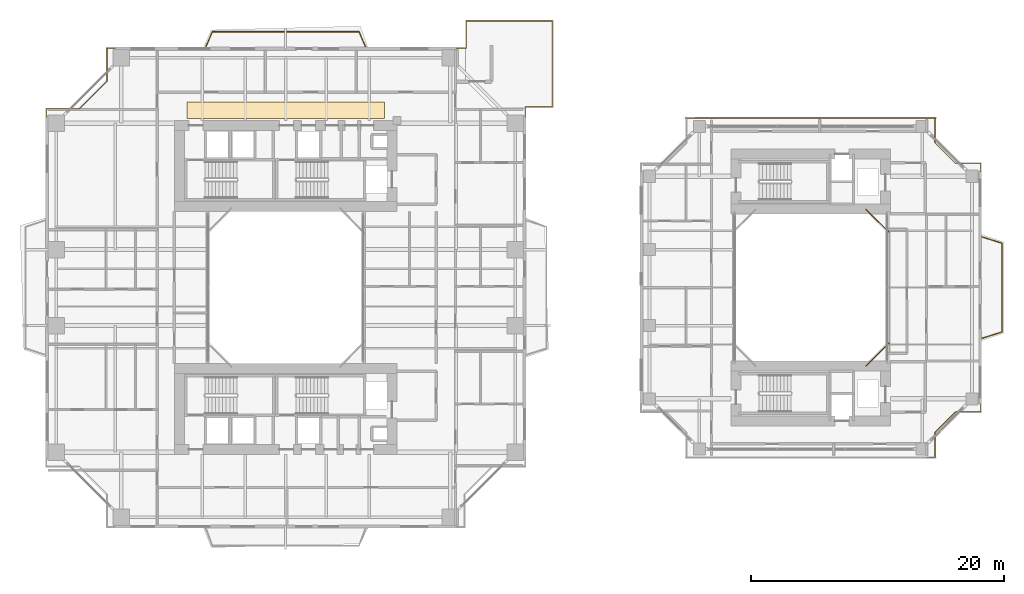
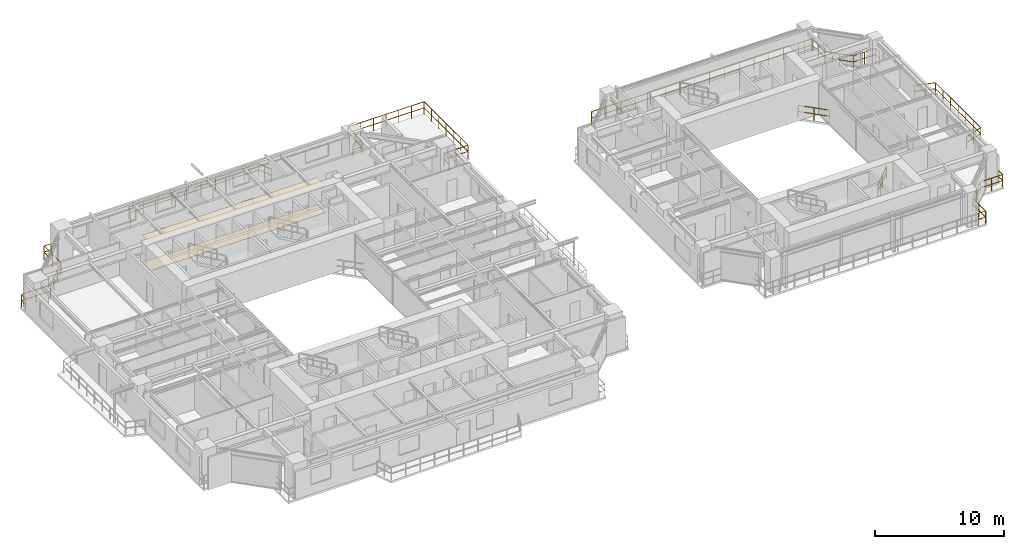
# One storey, part 23 of 23: 9 railings, 2 coverings.
"""IFC4 building model written with IfcOpenShell, lengths in metres."""

from ifc_helpers import new_model, si_unit, direction, frame, origin, origin_2d, place, context, subcontext, project, spatial, polyline, rectangle, outline, extrude, material, layer, layer_set, type_object, element, save


model = new_model("IFC4")

# Units and contexts
model_context = context("Model", 3, precision=1e-05, world=origin(), true_north=direction((0.0, 1.0)))
body_context = subcontext(model_context, "Body", "Model", "MODEL_VIEW")
ifc_project = project(units=[si_unit("LENGTHUNIT", "METRE"), si_unit("AREAUNIT", "SQUARE_METRE"), si_unit("VOLUMEUNIT", "CUBIC_METRE"), si_unit("PLANEANGLEUNIT", "RADIAN"), si_unit("MASSUNIT", "GRAM", prefix="KILO"), si_unit("THERMODYNAMICTEMPERATUREUNIT", "KELVIN"), si_unit("POWERUNIT", "WATT")], contexts=[model_context])

# Site, building, storey
site_placement = place(None, origin())
site = spatial("IfcSite", under=ifc_project, at=site_placement, CompositionType="ELEMENT")
building_placement = place(site_placement, origin())
building = spatial("IfcBuilding", under=site, at=building_placement, Name="Qiaomeng Ring Towers", CompositionType="ELEMENT")
storey_placement = place(building_placement, frame((0.0, 0.0, 32.75)))
storey = spatial("IfcBuildingStorey", under=building, at=storey_placement, Name="L08", CompositionType="ELEMENT", Elevation=32.75)

# Coverings
ifc_material_1 = material(Name="Mineral fibre acoustic ceiling tile", Category="gypsum")
ifc_layer_1 = layer(ifc_material_1, 0.02490234375, Name="Mineral fibre acoustic ceiling tile")
ifc_layer_set_1 = layer_set([ifc_layer_1], Name="Mineral fibre acoustic ceiling tile")
covering_type_1 = type_object("IfcCoveringType", Name="ARC-COV-CEIL1", PredefinedType="CEILING", material=ifc_layer_set_1)
covering_1_placement = place(storey_placement, frame((0.0, 0.0, 2.550048828125)))
element("IfcCovering", 1, at=covering_1_placement, inside=storey, type_object=covering_type_1, Name="L08 Corridor Acoustic Ceiling", PredefinedType="CEILING", context=body_context, shape_type="SweptSolid", body=[
    extrude(outline(polyline([(11.199951171875, 36.35009765625), (11.199951171875, 37.64990234375), (26.800048828125, 37.64990234375), (26.800048828125, 36.35009765625), (11.199951171875, 36.35009765625)])), origin(), (0.0, 0.0, 1.0), 0.02490234375),
])
ifc_material_2 = material(Name="Vitrified porcelain floor tile", Category="ceramic")
ifc_layer_2 = layer(ifc_material_2, 0.02001953125, Name="Vitrified porcelain floor tile")
ifc_layer_set_2 = layer_set([ifc_layer_2], Name="Vitrified porcelain floor tile")
covering_type_2 = type_object("IfcCoveringType", Name="ARC-COV-FLR1", PredefinedType="FLOORING", material=ifc_layer_set_2)
covering_2_placement = place(storey_placement, origin())
element("IfcCovering", 2, at=covering_2_placement, inside=storey, type_object=covering_type_2, Name="L08 Corridor Stone Flooring", PredefinedType="FLOORING", context=body_context, shape_type="SweptSolid", body=[
    extrude(outline(polyline([(11.199951171875, 36.35009765625), (11.199951171875, 37.64990234375), (26.800048828125, 37.64990234375), (26.800048828125, 36.35009765625), (11.199951171875, 36.35009765625)])), origin(), (0.0, 0.0, 1.0), 0.02001953125),
])

# Railings
ifc_material_3 = material(Name="Low-E pale-green laminated safety glass", Category="glass")
railing_type = type_object("IfcRailingType", Name="ARC-RL-BAL1", PredefinedType="BALUSTRADE", material=ifc_material_3)
railing_1_placement = place(storey_placement, frame((37.919921875, 36.47998046875, 0.0)))
element("IfcRailing", 3, at=railing_1_placement, inside=storey, type_object=railing_type, Name="L08 Balustrade ARC-BAL-L08-SPIRAL-NE", PredefinedType="BALUSTRADE", context=body_context, shape_type="SweptSolid", body=[
    extrude(rectangle(XDim=0.048095703125, YDim=0.048095703125, at=origin_2d()), frame((0.0, 0.0, 1.17578125), z_axis=(0.0, 1.0, 0.0), x_axis=(-1.0, 0.0, 0.0)), (0.0, 0.0, 1.0), 0.800048828125),
    extrude(rectangle(XDim=0.048095703125, YDim=0.048095703125, at=origin_2d()), frame((0.0, 0.0, 0.60009765625), z_axis=(0.0, 1.0, 0.0), x_axis=(-1.0, 0.0, 0.0)), (0.0, 0.0, 1.0), 0.800048828125),
    extrude(rectangle(XDim=0.048095703125, YDim=0.048095703125, at=origin_2d()), frame((0.0, 0.800048828125, 1.17578125), z_axis=(1.0, 0.0, 0.0), x_axis=(0.0, 1.0, 0.0)), (0.0, 0.0, 1.0), 2.150146484375),
    extrude(rectangle(XDim=0.048095703125, YDim=0.048095703125, at=origin_2d()), frame((0.0, 0.800048828125, 0.60009765625), z_axis=(1.0, 0.0, 0.0), x_axis=(0.0, 1.0, 0.0)), (0.0, 0.0, 1.0), 2.150146484375),
    extrude(rectangle(XDim=0.048095703125, YDim=0.048095703125, at=origin_2d()), frame((2.150146484375, 0.800048828125, 1.17578125), z_axis=(0.0, 1.0, 0.0), x_axis=(-1.0, 0.0, 0.0)), (0.0, 0.0, 1.0), 6.7900390625),
    extrude(rectangle(XDim=0.048095703125, YDim=0.048095703125, at=origin_2d()), frame((2.150146484375, 0.800048828125, 0.60009765625), z_axis=(0.0, 1.0, 0.0), x_axis=(-1.0, 0.0, 0.0)), (0.0, 0.0, 1.0), 6.7900390625),
    extrude(rectangle(XDim=0.048095703125, YDim=0.048095703125, at=origin_2d()), frame((2.150146484375, 7.590087890625, 1.17578125), z_axis=(-1.0, 0.0, 0.0), x_axis=(0.0, -1.0, 0.0)), (0.0, 0.0, 1.0), 6.7900390625),
    extrude(rectangle(XDim=0.048095703125, YDim=0.048095703125, at=origin_2d()), frame((2.150146484375, 7.590087890625, 0.60009765625), z_axis=(-1.0, 0.0, 0.0), x_axis=(0.0, -1.0, 0.0)), (0.0, 0.0, 1.0), 6.7900390625),
    extrude(rectangle(XDim=0.048095703125, YDim=0.048095703125, at=origin_2d()), frame((-4.639892578125, 7.590087890625, 1.17578125), z_axis=(0.0, -1.0, 0.0), x_axis=(1.0, 0.0, 0.0)), (0.0, 0.0, 1.0), 2.150146484375),
    extrude(rectangle(XDim=0.048095703125, YDim=0.048095703125, at=origin_2d()), frame((-4.639892578125, 7.590087890625, 0.60009765625), z_axis=(0.0, -1.0, 0.0), x_axis=(1.0, 0.0, 0.0)), (0.0, 0.0, 1.0), 2.150146484375),
    extrude(rectangle(XDim=0.048095703125, YDim=0.048095703125, at=origin_2d()), frame((-4.639892578125, 5.43994140625, 1.17578125), z_axis=(-1.0, 0.0, 0.0), x_axis=(0.0, -1.0, 0.0)), (0.0, 0.0, 1.0), 0.800048828125),
    extrude(rectangle(XDim=0.048095703125, YDim=0.048095703125, at=origin_2d()), frame((-4.639892578125, 5.43994140625, 0.60009765625), z_axis=(-1.0, 0.0, 0.0), x_axis=(0.0, -1.0, 0.0)), (0.0, 0.0, 1.0), 0.800048828125),
    extrude(rectangle(XDim=0.0419921875, YDim=0.0419921875, at=origin_2d()), origin(), (0.0, 0.0, 1.0), 1.15185546875),
    extrude(rectangle(XDim=0.0419921875, YDim=0.0419921875, at=origin_2d()), frame((0.0, 0.800048828125, 0.0)), (0.0, 0.0, 1.0), 1.15185546875),
    extrude(rectangle(XDim=0.0419921875, YDim=0.0419921875, at=origin_2d()), frame((1.0751953125, 0.800048828125, 0.0)), (0.0, 0.0, 1.0), 1.15185546875),
    extrude(rectangle(XDim=0.0419921875, YDim=0.0419921875, at=origin_2d()), frame((2.150146484375, 0.800048828125, 0.0)), (0.0, 0.0, 1.0), 1.15185546875),
    extrude(rectangle(XDim=0.0419921875, YDim=0.0419921875, at=origin_2d()), frame((2.150146484375, 1.931640625, 0.0)), (0.0, 0.0, 1.0), 1.15185546875),
    extrude(rectangle(XDim=0.0419921875, YDim=0.0419921875, at=origin_2d()), frame((2.150146484375, 3.0634765625, 0.0)), (0.0, 0.0, 1.0), 1.15185546875),
    extrude(rectangle(XDim=0.0419921875, YDim=0.0419921875, at=origin_2d()), frame((2.150146484375, 4.195068359375, 0.0)), (0.0, 0.0, 1.0), 1.15185546875),
    extrude(rectangle(XDim=0.0419921875, YDim=0.0419921875, at=origin_2d()), frame((2.150146484375, 5.32666015625, 0.0)), (0.0, 0.0, 1.0), 1.15185546875),
    extrude(rectangle(XDim=0.0419921875, YDim=0.0419921875, at=origin_2d()), frame((2.150146484375, 6.45849609375, 0.0)), (0.0, 0.0, 1.0), 1.15185546875),
    extrude(rectangle(XDim=0.0419921875, YDim=0.0419921875, at=origin_2d()), frame((2.150146484375, 7.590087890625, 0.0)), (0.0, 0.0, 1.0), 1.15185546875),
    extrude(rectangle(XDim=0.0419921875, YDim=0.0419921875, at=origin_2d()), frame((1.0185546875, 7.590087890625, 0.0)), (0.0, 0.0, 1.0), 1.15185546875),
    extrude(rectangle(XDim=0.0419921875, YDim=0.0419921875, at=origin_2d()), frame((-0.11328125, 7.590087890625, 0.0)), (0.0, 0.0, 1.0), 1.15185546875),
    extrude(rectangle(XDim=0.0419921875, YDim=0.0419921875, at=origin_2d()), frame((-1.244873046875, 7.590087890625, 0.0)), (0.0, 0.0, 1.0), 1.15185546875),
    extrude(rectangle(XDim=0.0419921875, YDim=0.0419921875, at=origin_2d()), frame((-2.37646484375, 7.590087890625, 0.0)), (0.0, 0.0, 1.0), 1.15185546875),
    extrude(rectangle(XDim=0.0419921875, YDim=0.0419921875, at=origin_2d()), frame((-3.50830078125, 7.590087890625, 0.0)), (0.0, 0.0, 1.0), 1.15185546875),
    extrude(rectangle(XDim=0.0419921875, YDim=0.0419921875, at=origin_2d()), frame((-4.639892578125, 7.590087890625, 0.0)), (0.0, 0.0, 1.0), 1.15185546875),
    extrude(rectangle(XDim=0.0419921875, YDim=0.0419921875, at=origin_2d()), frame((-4.639892578125, 6.51513671875, 0.0)), (0.0, 0.0, 1.0), 1.15185546875),
    extrude(rectangle(XDim=0.0419921875, YDim=0.0419921875, at=origin_2d()), frame((-4.639892578125, 5.43994140625, 0.0)), (0.0, 0.0, 1.0), 1.15185546875),
    extrude(rectangle(XDim=0.0419921875, YDim=0.0419921875, at=origin_2d()), frame((-5.43994140625, 5.43994140625, 0.0)), (0.0, 0.0, 1.0), 1.15185546875),
])
railing_2_placement = place(storey_placement, frame((5.530029296875, 41.919921875, 0.0)))
element("IfcRailing", 4, at=railing_2_placement, inside=storey, type_object=railing_type, Name="L08 Balustrade ARC-BAL-NOTCH1-L08-NW", PredefinedType="BALUSTRADE", context=body_context, shape_type="SweptSolid", body=[
    extrude(rectangle(XDim=0.048095703125, YDim=0.048095703125, at=origin_2d()), frame((0.0, 0.0, 1.17578125), z_axis=(-1.0, 0.0, 0.0), x_axis=(0.0, -1.0, 0.0)), (0.0, 0.0, 1.0), 0.650146484375),
    extrude(rectangle(XDim=0.048095703125, YDim=0.048095703125, at=origin_2d()), frame((0.0, 0.0, 0.60009765625), z_axis=(-1.0, 0.0, 0.0), x_axis=(0.0, -1.0, 0.0)), (0.0, 0.0, 1.0), 0.650146484375),
    extrude(rectangle(XDim=0.048095703125, YDim=0.048095703125, at=origin_2d()), frame((-0.650146484375, 0.0, 1.17578125), z_axis=(0.0, -1.0, 0.0), x_axis=(1.0, 0.0, 0.0)), (0.0, 0.0, 1.0), 2.599853515625),
    extrude(rectangle(XDim=0.048095703125, YDim=0.048095703125, at=origin_2d()), frame((-0.650146484375, 0.0, 0.60009765625), z_axis=(0.0, -1.0, 0.0), x_axis=(1.0, 0.0, 0.0)), (0.0, 0.0, 1.0), 2.599853515625),
    extrude(rectangle(XDim=0.048095703125, YDim=0.048095703125, at=origin_2d()), frame((-0.650146484375, -2.599853515625, 1.17578125), z_axis=(-0.707106781187, -0.707106781187, 0.0), x_axis=(0.707106781187, -0.707106781187, 0.0)), (0.0, 0.0, 1.0), 3.111083984375),
    extrude(rectangle(XDim=0.048095703125, YDim=0.048095703125, at=origin_2d()), frame((-0.650146484375, -2.599853515625, 0.60009765625), z_axis=(-0.707106781187, -0.707106781187, 0.0), x_axis=(0.707106781187, -0.707106781187, 0.0)), (0.0, 0.0, 1.0), 3.111083984375),
    extrude(rectangle(XDim=0.048095703125, YDim=0.048095703125, at=origin_2d()), frame((-2.85009765625, -4.7998046875, 1.17578125), z_axis=(-1.0, 0.0, 0.0), x_axis=(0.0, -1.0, 0.0)), (0.0, 0.0, 1.0), 2.599853515625),
    extrude(rectangle(XDim=0.048095703125, YDim=0.048095703125, at=origin_2d()), frame((-2.85009765625, -4.7998046875, 0.60009765625), z_axis=(-1.0, 0.0, 0.0), x_axis=(0.0, -1.0, 0.0)), (0.0, 0.0, 1.0), 2.599853515625),
    extrude(rectangle(XDim=0.048095703125, YDim=0.048095703125, at=origin_2d()), frame((-5.449951171875, -4.7998046875, 1.17578125), z_axis=(0.0, -1.0, 0.0), x_axis=(1.0, 0.0, 0.0)), (0.0, 0.0, 1.0), 0.650146484375),
    extrude(rectangle(XDim=0.048095703125, YDim=0.048095703125, at=origin_2d()), frame((-5.449951171875, -4.7998046875, 0.60009765625), z_axis=(0.0, -1.0, 0.0), x_axis=(1.0, 0.0, 0.0)), (0.0, 0.0, 1.0), 0.650146484375),
    extrude(rectangle(XDim=0.0419921875, YDim=0.0419921875, at=origin_2d()), origin(), (0.0, 0.0, 1.0), 1.15185546875),
    extrude(rectangle(XDim=0.0419921875, YDim=0.0419921875, at=origin_2d()), frame((-0.650146484375, 0.0, 0.0)), (0.0, 0.0, 1.0), 1.15185546875),
    extrude(rectangle(XDim=0.0419921875, YDim=0.0419921875, at=origin_2d()), frame((-0.650146484375, -1.2998046875, 0.0)), (0.0, 0.0, 1.0), 1.15185546875),
    extrude(rectangle(XDim=0.0419921875, YDim=0.0419921875, at=origin_2d()), frame((-0.650146484375, -2.599853515625, 0.0)), (0.0, 0.0, 1.0), 1.15185546875),
    extrude(rectangle(XDim=0.0419921875, YDim=0.0419921875, at=origin_2d()), frame((-1.383544921875, -3.333251953125, 0.0)), (0.0, 0.0, 1.0), 1.15185546875),
    extrude(rectangle(XDim=0.0419921875, YDim=0.0419921875, at=origin_2d()), frame((-2.11669921875, -4.06640625, 0.0)), (0.0, 0.0, 1.0), 1.15185546875),
    extrude(rectangle(XDim=0.0419921875, YDim=0.0419921875, at=origin_2d()), frame((-2.85009765625, -4.7998046875, 0.0)), (0.0, 0.0, 1.0), 1.15185546875),
    extrude(rectangle(XDim=0.0419921875, YDim=0.0419921875, at=origin_2d()), frame((-4.14990234375, -4.7998046875, 0.0)), (0.0, 0.0, 1.0), 1.15185546875),
    extrude(rectangle(XDim=0.0419921875, YDim=0.0419921875, at=origin_2d()), frame((-5.449951171875, -4.7998046875, 0.0)), (0.0, 0.0, 1.0), 1.15185546875),
    extrude(rectangle(XDim=0.0419921875, YDim=0.0419921875, at=origin_2d()), frame((-5.449951171875, -5.449951171875, 0.0)), (0.0, 0.0, 1.0), 1.15185546875),
])
railing_3_placement = place(storey_placement, frame((12.699951171875, 42.050048828125, 0.0)))
element("IfcRailing", 5, at=railing_3_placement, inside=storey, type_object=railing_type, Name="L08 Balustrade ARC-BAL-L08-T1-N", PredefinedType="BALUSTRADE", context=body_context, shape_type="SweptSolid", body=[
    extrude(rectangle(XDim=0.048095703125, YDim=0.048095703125, at=origin_2d()), frame((0.0, 0.0, 1.17578125), z_axis=(0.39299272826, 0.919541579014, 0.0), x_axis=(-0.919541579014, 0.39299272826, 0.0)), (0.0, 0.0, 1.0), 1.272216796875),
    extrude(rectangle(XDim=0.048095703125, YDim=0.048095703125, at=origin_2d()), frame((0.0, 0.0, 0.60009765625), z_axis=(0.39299272826, 0.919541579014, 0.0), x_axis=(-0.919541579014, 0.39299272826, 0.0)), (0.0, 0.0, 1.0), 1.272216796875),
    extrude(rectangle(XDim=0.048095703125, YDim=0.048095703125, at=origin_2d()), frame((0.5, 1.169921875, 1.17578125), z_axis=(1.0, 0.0, 0.0), x_axis=(0.0, 1.0, 0.0)), (0.0, 0.0, 1.0), 11.60009765625),
    extrude(rectangle(XDim=0.048095703125, YDim=0.048095703125, at=origin_2d()), frame((0.5, 1.169921875, 0.60009765625), z_axis=(1.0, 0.0, 0.0), x_axis=(0.0, 1.0, 0.0)), (0.0, 0.0, 1.0), 11.60009765625),
    extrude(rectangle(XDim=0.048095703125, YDim=0.048095703125, at=origin_2d()), frame((12.10009765625, 1.169921875, 1.17578125), z_axis=(0.39299272826, -0.919541579014, 0.0), x_axis=(0.919541579014, 0.39299272826, 0.0)), (0.0, 0.0, 1.0), 1.272216796875),
    extrude(rectangle(XDim=0.048095703125, YDim=0.048095703125, at=origin_2d()), frame((12.10009765625, 1.169921875, 0.60009765625), z_axis=(0.39299272826, -0.919541579014, 0.0), x_axis=(0.919541579014, 0.39299272826, 0.0)), (0.0, 0.0, 1.0), 1.272216796875),
    extrude(rectangle(XDim=0.0419921875, YDim=0.0419921875, at=origin_2d()), origin(), (0.0, 0.0, 1.0), 1.15185546875),
    extrude(rectangle(XDim=0.0419921875, YDim=0.0419921875, at=origin_2d()), frame((0.5, 1.169921875, 0.0)), (0.0, 0.0, 1.0), 1.15185546875),
    extrude(rectangle(XDim=0.0419921875, YDim=0.0419921875, at=origin_2d()), frame((1.788818359375, 1.169921875, 0.0)), (0.0, 0.0, 1.0), 1.15185546875),
    extrude(rectangle(XDim=0.0419921875, YDim=0.0419921875, at=origin_2d()), frame((3.077880859375, 1.169921875, 0.0)), (0.0, 0.0, 1.0), 1.15185546875),
    extrude(rectangle(XDim=0.0419921875, YDim=0.0419921875, at=origin_2d()), frame((4.36669921875, 1.169921875, 0.0)), (0.0, 0.0, 1.0), 1.15185546875),
    extrude(rectangle(XDim=0.0419921875, YDim=0.0419921875, at=origin_2d()), frame((5.655517578125, 1.169921875, 0.0)), (0.0, 0.0, 1.0), 1.15185546875),
    extrude(rectangle(XDim=0.0419921875, YDim=0.0419921875, at=origin_2d()), frame((6.944580078125, 1.169921875, 0.0)), (0.0, 0.0, 1.0), 1.15185546875),
    extrude(rectangle(XDim=0.0419921875, YDim=0.0419921875, at=origin_2d()), frame((8.2333984375, 1.169921875, 0.0)), (0.0, 0.0, 1.0), 1.15185546875),
    extrude(rectangle(XDim=0.0419921875, YDim=0.0419921875, at=origin_2d()), frame((9.522216796875, 1.169921875, 0.0)), (0.0, 0.0, 1.0), 1.15185546875),
    extrude(rectangle(XDim=0.0419921875, YDim=0.0419921875, at=origin_2d()), frame((10.811279296875, 1.169921875, 0.0)), (0.0, 0.0, 1.0), 1.15185546875),
    extrude(rectangle(XDim=0.0419921875, YDim=0.0419921875, at=origin_2d()), frame((12.10009765625, 1.169921875, 0.0)), (0.0, 0.0, 1.0), 1.15185546875),
    extrude(rectangle(XDim=0.0419921875, YDim=0.0419921875, at=origin_2d()), frame((12.60009765625, 0.0, 0.0)), (0.0, 0.0, 1.0), 1.15185546875),
])
railing_4_placement = place(storey_placement, frame((64.8798828125, 16.820068359375, 0.0)))
element("IfcRailing", 6, at=railing_4_placement, inside=storey, type_object=railing_type, Name="L08 Balustrade ARC-BAL-WELL2-L08-1", PredefinedType="BALUSTRADE", context=body_context, shape_type="SweptSolid", body=[
    extrude(rectangle(XDim=0.048095703125, YDim=0.048095703125, at=origin_2d()), frame((0.0, 0.0, 1.17578125), z_axis=(0.707106781187, 0.707106781187, 0.0), x_axis=(-0.707106781187, 0.707106781187, 0.0)), (0.0, 0.0, 1.0), 2.545654296875),
    extrude(rectangle(XDim=0.048095703125, YDim=0.048095703125, at=origin_2d()), frame((0.0, 0.0, 0.60009765625), z_axis=(0.707106781187, 0.707106781187, 0.0), x_axis=(-0.707106781187, 0.707106781187, 0.0)), (0.0, 0.0, 1.0), 2.545654296875),
    extrude(rectangle(XDim=0.0419921875, YDim=0.0419921875, at=origin_2d()), origin(), (0.0, 0.0, 1.0), 1.15185546875),
    extrude(rectangle(XDim=0.0419921875, YDim=0.0419921875, at=origin_2d()), frame((0.89990234375, 0.89990234375, 0.0)), (0.0, 0.0, 1.0), 1.15185546875),
    extrude(rectangle(XDim=0.0419921875, YDim=0.0419921875, at=origin_2d()), frame((1.800048828125, 1.800048828125, 0.0)), (0.0, 0.0, 1.0), 1.15185546875),
])
railing_5_placement = place(storey_placement, frame((66.679931640625, 27.3798828125, 0.0)))
element("IfcRailing", 7, at=railing_5_placement, inside=storey, type_object=railing_type, Name="L08 Balustrade ARC-BAL-WELL2-L08-2", PredefinedType="BALUSTRADE", context=body_context, shape_type="SweptSolid", body=[
    extrude(rectangle(XDim=0.048095703125, YDim=0.048095703125, at=origin_2d()), frame((0.0, 0.0, 1.17578125), z_axis=(-0.707106781187, 0.707106781187, 0.0), x_axis=(-0.707106781187, -0.707106781187, 0.0)), (0.0, 0.0, 1.0), 2.545654296875),
    extrude(rectangle(XDim=0.048095703125, YDim=0.048095703125, at=origin_2d()), frame((0.0, 0.0, 0.60009765625), z_axis=(-0.707106781187, 0.707106781187, 0.0), x_axis=(-0.707106781187, -0.707106781187, 0.0)), (0.0, 0.0, 1.0), 2.545654296875),
    extrude(rectangle(XDim=0.0419921875, YDim=0.0419921875, at=origin_2d()), origin(), (0.0, 0.0, 1.0), 1.15185546875),
    extrude(rectangle(XDim=0.0419921875, YDim=0.0419921875, at=origin_2d()), frame((-0.89990234375, 0.89990234375, 0.0)), (0.0, 0.0, 1.0), 1.15185546875),
    extrude(rectangle(XDim=0.0419921875, YDim=0.0419921875, at=origin_2d()), frame((-1.800048828125, 1.800048828125, 0.0)), (0.0, 0.0, 1.0), 1.15185546875),
])
railing_6_placement = place(storey_placement, frame((69.669921875, 9.580078125, 0.0)))
element("IfcRailing", 8, at=railing_6_placement, inside=storey, type_object=railing_type, Name="L08 Balustrade ARC-BAL-NOTCH2-L08-SE", PredefinedType="BALUSTRADE", context=body_context, shape_type="SweptSolid", body=[
    extrude(rectangle(XDim=0.048095703125, YDim=0.048095703125, at=origin_2d()), frame((0.0, 0.0, 1.17578125), z_axis=(1.0, 0.0, 0.0), x_axis=(0.0, 1.0, 0.0)), (0.0, 0.0, 1.0), 0.650146484375),
    extrude(rectangle(XDim=0.048095703125, YDim=0.048095703125, at=origin_2d()), frame((0.0, 0.0, 0.60009765625), z_axis=(1.0, 0.0, 0.0), x_axis=(0.0, 1.0, 0.0)), (0.0, 0.0, 1.0), 0.650146484375),
    extrude(rectangle(XDim=0.048095703125, YDim=0.048095703125, at=origin_2d()), frame((0.650146484375, 0.0, 1.17578125), z_axis=(0.0, 1.0, 0.0), x_axis=(-1.0, 0.0, 0.0)), (0.0, 0.0, 1.0), 2.0),
    extrude(rectangle(XDim=0.048095703125, YDim=0.048095703125, at=origin_2d()), frame((0.650146484375, 0.0, 0.60009765625), z_axis=(0.0, 1.0, 0.0), x_axis=(-1.0, 0.0, 0.0)), (0.0, 0.0, 1.0), 2.0),
    extrude(rectangle(XDim=0.048095703125, YDim=0.048095703125, at=origin_2d()), frame((0.650146484375, 2.0, 1.17578125), z_axis=(0.707106781187, 0.707106781187, 0.0), x_axis=(-0.707106781187, 0.707106781187, 0.0)), (0.0, 0.0, 1.0), 2.262451171875),
    extrude(rectangle(XDim=0.048095703125, YDim=0.048095703125, at=origin_2d()), frame((0.650146484375, 2.0, 0.60009765625), z_axis=(0.707106781187, 0.707106781187, 0.0), x_axis=(-0.707106781187, 0.707106781187, 0.0)), (0.0, 0.0, 1.0), 2.262451171875),
    extrude(rectangle(XDim=0.048095703125, YDim=0.048095703125, at=origin_2d()), frame((2.25, 3.599853515625, 1.17578125), z_axis=(1.0, 0.0, 0.0), x_axis=(0.0, 1.0, 0.0)), (0.0, 0.0, 1.0), 2.0),
    extrude(rectangle(XDim=0.048095703125, YDim=0.048095703125, at=origin_2d()), frame((2.25, 3.599853515625, 0.60009765625), z_axis=(1.0, 0.0, 0.0), x_axis=(0.0, 1.0, 0.0)), (0.0, 0.0, 1.0), 2.0),
    extrude(rectangle(XDim=0.048095703125, YDim=0.048095703125, at=origin_2d()), frame((4.25, 3.599853515625, 1.17578125), z_axis=(0.0, 1.0, 0.0), x_axis=(-1.0, 0.0, 0.0)), (0.0, 0.0, 1.0), 0.650146484375),
    extrude(rectangle(XDim=0.048095703125, YDim=0.048095703125, at=origin_2d()), frame((4.25, 3.599853515625, 0.60009765625), z_axis=(0.0, 1.0, 0.0), x_axis=(-1.0, 0.0, 0.0)), (0.0, 0.0, 1.0), 0.650146484375),
    extrude(rectangle(XDim=0.0419921875, YDim=0.0419921875, at=origin_2d()), origin(), (0.0, 0.0, 1.0), 1.15185546875),
    extrude(rectangle(XDim=0.0419921875, YDim=0.0419921875, at=origin_2d()), frame((0.650146484375, 0.0, 0.0)), (0.0, 0.0, 1.0), 1.15185546875),
    extrude(rectangle(XDim=0.0419921875, YDim=0.0419921875, at=origin_2d()), frame((0.650146484375, 1.0, 0.0)), (0.0, 0.0, 1.0), 1.15185546875),
    extrude(rectangle(XDim=0.0419921875, YDim=0.0419921875, at=origin_2d()), frame((0.650146484375, 2.0, 0.0)), (0.0, 0.0, 1.0), 1.15185546875),
    extrude(rectangle(XDim=0.0419921875, YDim=0.0419921875, at=origin_2d()), frame((1.4501953125, 2.7998046875, 0.0)), (0.0, 0.0, 1.0), 1.15185546875),
    extrude(rectangle(XDim=0.0419921875, YDim=0.0419921875, at=origin_2d()), frame((2.25, 3.599853515625, 0.0)), (0.0, 0.0, 1.0), 1.15185546875),
    extrude(rectangle(XDim=0.0419921875, YDim=0.0419921875, at=origin_2d()), frame((3.25, 3.599853515625, 0.0)), (0.0, 0.0, 1.0), 1.15185546875),
    extrude(rectangle(XDim=0.0419921875, YDim=0.0419921875, at=origin_2d()), frame((4.25, 3.599853515625, 0.0)), (0.0, 0.0, 1.0), 1.15185546875),
    extrude(rectangle(XDim=0.0419921875, YDim=0.0419921875, at=origin_2d()), frame((4.25, 4.25, 0.0)), (0.0, 0.0, 1.0), 1.15185546875),
])
railing_7_placement = place(storey_placement, frame((73.919921875, 32.169921875, 0.0)))
element("IfcRailing", 9, at=railing_7_placement, inside=storey, type_object=railing_type, Name="L08 Balustrade ARC-BAL-NOTCH2-L08-NE", PredefinedType="BALUSTRADE", context=body_context, shape_type="SweptSolid", body=[
    extrude(rectangle(XDim=0.048095703125, YDim=0.048095703125, at=origin_2d()), frame((0.0, 0.0, 1.17578125), z_axis=(0.0, 1.0, 0.0), x_axis=(-1.0, 0.0, 0.0)), (0.0, 0.0, 1.0), 0.650146484375),
    extrude(rectangle(XDim=0.048095703125, YDim=0.048095703125, at=origin_2d()), frame((0.0, 0.0, 0.60009765625), z_axis=(0.0, 1.0, 0.0), x_axis=(-1.0, 0.0, 0.0)), (0.0, 0.0, 1.0), 0.650146484375),
    extrude(rectangle(XDim=0.048095703125, YDim=0.048095703125, at=origin_2d()), frame((0.0, 0.650146484375, 1.17578125), z_axis=(-1.0, 0.0, 0.0), x_axis=(0.0, -1.0, 0.0)), (0.0, 0.0, 1.0), 2.0),
    extrude(rectangle(XDim=0.048095703125, YDim=0.048095703125, at=origin_2d()), frame((0.0, 0.650146484375, 0.60009765625), z_axis=(-1.0, 0.0, 0.0), x_axis=(0.0, -1.0, 0.0)), (0.0, 0.0, 1.0), 2.0),
    extrude(rectangle(XDim=0.048095703125, YDim=0.048095703125, at=origin_2d()), frame((-2.0, 0.650146484375, 1.17578125), z_axis=(-0.707106781187, 0.707106781187, 0.0), x_axis=(-0.707106781187, -0.707106781187, 0.0)), (0.0, 0.0, 1.0), 2.262451171875),
    extrude(rectangle(XDim=0.048095703125, YDim=0.048095703125, at=origin_2d()), frame((-2.0, 0.650146484375, 0.60009765625), z_axis=(-0.707106781187, 0.707106781187, 0.0), x_axis=(-0.707106781187, -0.707106781187, 0.0)), (0.0, 0.0, 1.0), 2.262451171875),
    extrude(rectangle(XDim=0.048095703125, YDim=0.048095703125, at=origin_2d()), frame((-3.599853515625, 2.25, 1.17578125), z_axis=(0.0, 1.0, 0.0), x_axis=(-1.0, 0.0, 0.0)), (0.0, 0.0, 1.0), 2.0),
    extrude(rectangle(XDim=0.048095703125, YDim=0.048095703125, at=origin_2d()), frame((-3.599853515625, 2.25, 0.60009765625), z_axis=(0.0, 1.0, 0.0), x_axis=(-1.0, 0.0, 0.0)), (0.0, 0.0, 1.0), 2.0),
    extrude(rectangle(XDim=0.048095703125, YDim=0.048095703125, at=origin_2d()), frame((-3.599853515625, 4.25, 1.17578125), z_axis=(-1.0, 0.0, 0.0), x_axis=(0.0, -1.0, 0.0)), (0.0, 0.0, 1.0), 0.650146484375),
    extrude(rectangle(XDim=0.048095703125, YDim=0.048095703125, at=origin_2d()), frame((-3.599853515625, 4.25, 0.60009765625), z_axis=(-1.0, 0.0, 0.0), x_axis=(0.0, -1.0, 0.0)), (0.0, 0.0, 1.0), 0.650146484375),
    extrude(rectangle(XDim=0.0419921875, YDim=0.0419921875, at=origin_2d()), origin(), (0.0, 0.0, 1.0), 1.15185546875),
    extrude(rectangle(XDim=0.0419921875, YDim=0.0419921875, at=origin_2d()), frame((0.0, 0.650146484375, 0.0)), (0.0, 0.0, 1.0), 1.15185546875),
    extrude(rectangle(XDim=0.0419921875, YDim=0.0419921875, at=origin_2d()), frame((-1.0, 0.650146484375, 0.0)), (0.0, 0.0, 1.0), 1.15185546875),
    extrude(rectangle(XDim=0.0419921875, YDim=0.0419921875, at=origin_2d()), frame((-2.0, 0.650146484375, 0.0)), (0.0, 0.0, 1.0), 1.15185546875),
    extrude(rectangle(XDim=0.0419921875, YDim=0.0419921875, at=origin_2d()), frame((-2.7998046875, 1.4501953125, 0.0)), (0.0, 0.0, 1.0), 1.15185546875),
    extrude(rectangle(XDim=0.0419921875, YDim=0.0419921875, at=origin_2d()), frame((-3.599853515625, 2.25, 0.0)), (0.0, 0.0, 1.0), 1.15185546875),
    extrude(rectangle(XDim=0.0419921875, YDim=0.0419921875, at=origin_2d()), frame((-3.599853515625, 3.25, 0.0)), (0.0, 0.0, 1.0), 1.15185546875),
    extrude(rectangle(XDim=0.0419921875, YDim=0.0419921875, at=origin_2d()), frame((-3.599853515625, 4.25, 0.0)), (0.0, 0.0, 1.0), 1.15185546875),
    extrude(rectangle(XDim=0.0419921875, YDim=0.0419921875, at=origin_2d()), frame((-4.25, 4.25, 0.0)), (0.0, 0.0, 1.0), 1.15185546875),
])
railing_8_placement = place(storey_placement, frame((50.60009765625, 36.419921875, 0.0)))
element("IfcRailing", 10, at=railing_8_placement, inside=storey, type_object=railing_type, Name="L08 Balustrade ARC-BAL-T2N-L08", PredefinedType="BALUSTRADE", context=body_context, shape_type="SweptSolid", body=[
    extrude(rectangle(XDim=0.048095703125, YDim=0.048095703125, at=origin_2d()), frame((0.0, 0.0, 1.17578125), z_axis=(1.0, 0.0, 0.0), x_axis=(0.0, 1.0, 0.0)), (0.0, 0.0, 1.0), 19.7998046875),
    extrude(rectangle(XDim=0.048095703125, YDim=0.048095703125, at=origin_2d()), frame((0.0, 0.0, 0.60009765625), z_axis=(1.0, 0.0, 0.0), x_axis=(0.0, 1.0, 0.0)), (0.0, 0.0, 1.0), 19.7998046875),
    extrude(rectangle(XDim=0.0419921875, YDim=0.0419921875, at=origin_2d()), origin(), (0.0, 0.0, 1.0), 1.15185546875),
    extrude(rectangle(XDim=0.0419921875, YDim=0.0419921875, at=origin_2d()), frame((1.320068359375, 0.0, 0.0)), (0.0, 0.0, 1.0), 1.15185546875),
    extrude(rectangle(XDim=0.0419921875, YDim=0.0419921875, at=origin_2d()), frame((2.639892578125, 0.0, 0.0)), (0.0, 0.0, 1.0), 1.15185546875),
    extrude(rectangle(XDim=0.0419921875, YDim=0.0419921875, at=origin_2d()), frame((3.9599609375, 0.0, 0.0)), (0.0, 0.0, 1.0), 1.15185546875),
    extrude(rectangle(XDim=0.0419921875, YDim=0.0419921875, at=origin_2d()), frame((5.280029296875, 0.0, 0.0)), (0.0, 0.0, 1.0), 1.15185546875),
    extrude(rectangle(XDim=0.0419921875, YDim=0.0419921875, at=origin_2d()), frame((6.599853515625, 0.0, 0.0)), (0.0, 0.0, 1.0), 1.15185546875),
    extrude(rectangle(XDim=0.0419921875, YDim=0.0419921875, at=origin_2d()), frame((7.919921875, 0.0, 0.0)), (0.0, 0.0, 1.0), 1.15185546875),
    extrude(rectangle(XDim=0.0419921875, YDim=0.0419921875, at=origin_2d()), frame((9.239990234375, 0.0, 0.0)), (0.0, 0.0, 1.0), 1.15185546875),
    extrude(rectangle(XDim=0.0419921875, YDim=0.0419921875, at=origin_2d()), frame((10.559814453125, 0.0, 0.0)), (0.0, 0.0, 1.0), 1.15185546875),
    extrude(rectangle(XDim=0.0419921875, YDim=0.0419921875, at=origin_2d()), frame((11.8798828125, 0.0, 0.0)), (0.0, 0.0, 1.0), 1.15185546875),
    extrude(rectangle(XDim=0.0419921875, YDim=0.0419921875, at=origin_2d()), frame((13.199951171875, 0.0, 0.0)), (0.0, 0.0, 1.0), 1.15185546875),
    extrude(rectangle(XDim=0.0419921875, YDim=0.0419921875, at=origin_2d()), frame((14.519775390625, 0.0, 0.0)), (0.0, 0.0, 1.0), 1.15185546875),
    extrude(rectangle(XDim=0.0419921875, YDim=0.0419921875, at=origin_2d()), frame((15.83984375, 0.0, 0.0)), (0.0, 0.0, 1.0), 1.15185546875),
    extrude(rectangle(XDim=0.0419921875, YDim=0.0419921875, at=origin_2d()), frame((17.159912109375, 0.0, 0.0)), (0.0, 0.0, 1.0), 1.15185546875),
    extrude(rectangle(XDim=0.0419921875, YDim=0.0419921875, at=origin_2d()), frame((18.479736328125, 0.0, 0.0)), (0.0, 0.0, 1.0), 1.15185546875),
    extrude(rectangle(XDim=0.0419921875, YDim=0.0419921875, at=origin_2d()), frame((19.7998046875, 0.0, 0.0)), (0.0, 0.0, 1.0), 1.15185546875),
])
railing_9_placement = place(storey_placement, frame((74.050048828125, 19.0, 0.0)))
element("IfcRailing", 11, at=railing_9_placement, inside=storey, type_object=railing_type, Name="L08 Balustrade ARC-BAL-L08-T2-E", PredefinedType="BALUSTRADE", context=body_context, shape_type="SweptSolid", body=[
    extrude(rectangle(XDim=0.048095703125, YDim=0.048095703125, at=origin_2d()), frame((0.0, 0.0, 1.17578125), z_axis=(0.952849860715, 0.303442157479, 0.0), x_axis=(-0.303442157479, 0.952849860715, 0.0)), (0.0, 0.0, 1.0), 1.647705078125),
    extrude(rectangle(XDim=0.048095703125, YDim=0.048095703125, at=origin_2d()), frame((0.0, 0.0, 0.60009765625), z_axis=(0.952849860715, 0.303442157479, 0.0), x_axis=(-0.303442157479, 0.952849860715, 0.0)), (0.0, 0.0, 1.0), 1.647705078125),
    extrude(rectangle(XDim=0.048095703125, YDim=0.048095703125, at=origin_2d()), frame((1.570068359375, 0.5, 1.17578125), z_axis=(0.0, 1.0, 0.0), x_axis=(-1.0, 0.0, 0.0)), (0.0, 0.0, 1.0), 7.0),
    extrude(rectangle(XDim=0.048095703125, YDim=0.048095703125, at=origin_2d()), frame((1.570068359375, 0.5, 0.60009765625), z_axis=(0.0, 1.0, 0.0), x_axis=(-1.0, 0.0, 0.0)), (0.0, 0.0, 1.0), 7.0),
    extrude(rectangle(XDim=0.048095703125, YDim=0.048095703125, at=origin_2d()), frame((1.570068359375, 7.5, 1.17578125), z_axis=(-0.952849860715, 0.303442157479, 0.0), x_axis=(-0.303442157479, -0.952849860715, 0.0)), (0.0, 0.0, 1.0), 1.647705078125),
    extrude(rectangle(XDim=0.048095703125, YDim=0.048095703125, at=origin_2d()), frame((1.570068359375, 7.5, 0.60009765625), z_axis=(-0.952849860715, 0.303442157479, 0.0), x_axis=(-0.303442157479, -0.952849860715, 0.0)), (0.0, 0.0, 1.0), 1.647705078125),
    extrude(rectangle(XDim=0.0419921875, YDim=0.0419921875, at=origin_2d()), origin(), (0.0, 0.0, 1.0), 1.15185546875),
    extrude(rectangle(XDim=0.0419921875, YDim=0.0419921875, at=origin_2d()), frame((0.78515625, 0.25, 0.0)), (0.0, 0.0, 1.0), 1.15185546875),
    extrude(rectangle(XDim=0.0419921875, YDim=0.0419921875, at=origin_2d()), frame((1.570068359375, 0.5, 0.0)), (0.0, 0.0, 1.0), 1.15185546875),
    extrude(rectangle(XDim=0.0419921875, YDim=0.0419921875, at=origin_2d()), frame((1.570068359375, 1.666748046875, 0.0)), (0.0, 0.0, 1.0), 1.15185546875),
    extrude(rectangle(XDim=0.0419921875, YDim=0.0419921875, at=origin_2d()), frame((1.570068359375, 2.833251953125, 0.0)), (0.0, 0.0, 1.0), 1.15185546875),
    extrude(rectangle(XDim=0.0419921875, YDim=0.0419921875, at=origin_2d()), frame((1.570068359375, 4.0, 0.0)), (0.0, 0.0, 1.0), 1.15185546875),
    extrude(rectangle(XDim=0.0419921875, YDim=0.0419921875, at=origin_2d()), frame((1.570068359375, 5.166748046875, 0.0)), (0.0, 0.0, 1.0), 1.15185546875),
    extrude(rectangle(XDim=0.0419921875, YDim=0.0419921875, at=origin_2d()), frame((1.570068359375, 6.333251953125, 0.0)), (0.0, 0.0, 1.0), 1.15185546875),
    extrude(rectangle(XDim=0.0419921875, YDim=0.0419921875, at=origin_2d()), frame((1.570068359375, 7.5, 0.0)), (0.0, 0.0, 1.0), 1.15185546875),
    extrude(rectangle(XDim=0.0419921875, YDim=0.0419921875, at=origin_2d()), frame((0.78515625, 7.75, 0.0)), (0.0, 0.0, 1.0), 1.15185546875),
    extrude(rectangle(XDim=0.0419921875, YDim=0.0419921875, at=origin_2d()), frame((0.0, 8.0, 0.0)), (0.0, 0.0, 1.0), 1.15185546875),
])

save(model, "model.ifc")
